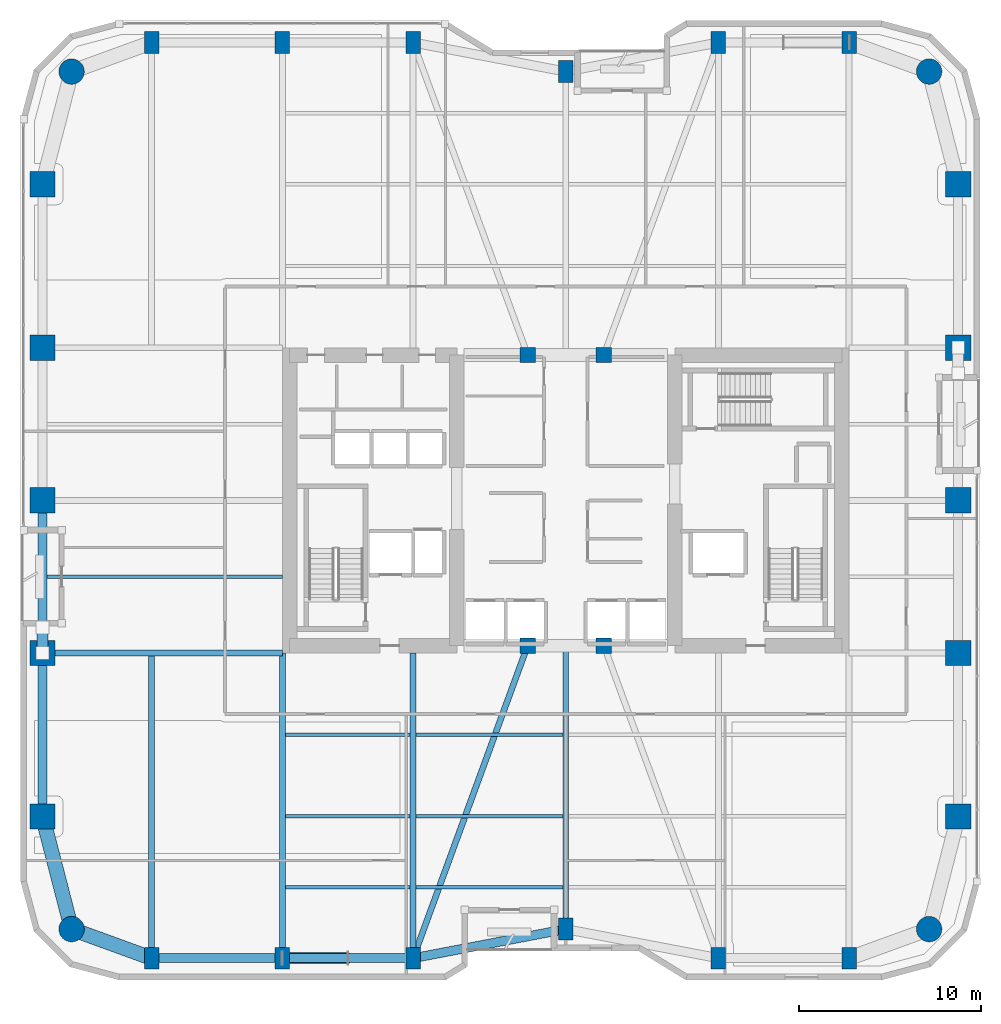
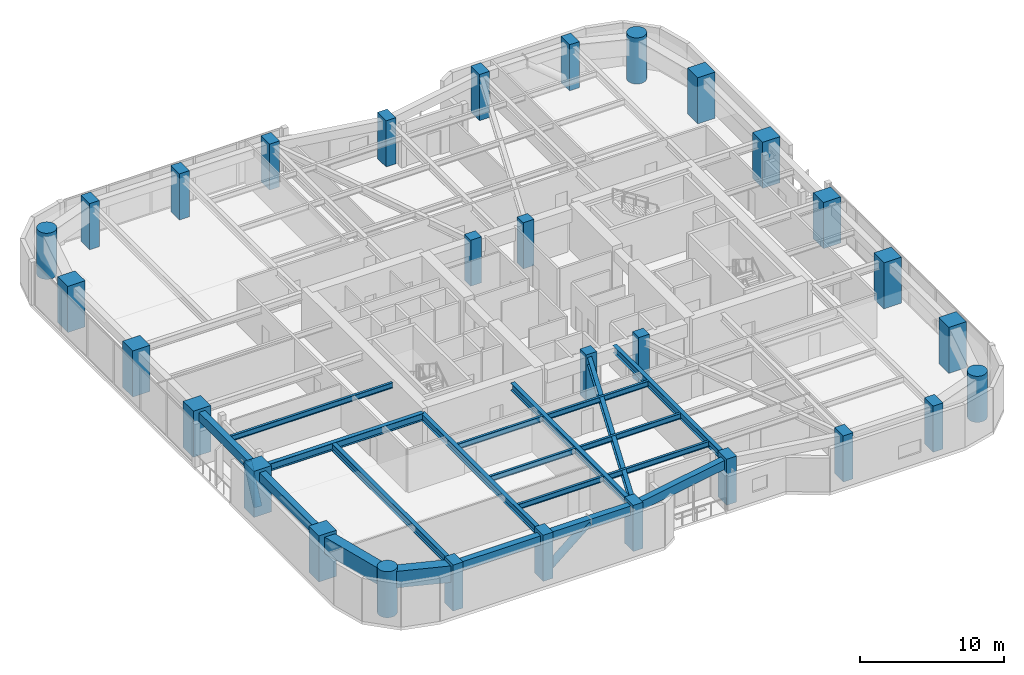
# One storey, part 1 of 24: 30 columns, 20 beams, 2 members.
"""IFC4 building model written with IfcOpenShell, lengths in metres."""

from ifc_helpers import new_model, si_unit, direction, frame, origin, origin_2d, place, context, subcontext, project, spatial, rectangle, circle, hollow_circle, i_section, extrude, material, material_profile, profile_set, type_object, element, save


model = new_model("IFC4")

# Units and contexts
model_context = context("Model", 3, precision=1e-05, world=origin(), true_north=direction((0.0, 1.0)))
body_context = subcontext(model_context, "Body", "Model", "MODEL_VIEW")
ifc_project = project(units=[si_unit("LENGTHUNIT", "METRE"), si_unit("AREAUNIT", "SQUARE_METRE"), si_unit("VOLUMEUNIT", "CUBIC_METRE"), si_unit("PLANEANGLEUNIT", "RADIAN"), si_unit("MASSUNIT", "GRAM", prefix="KILO")], contexts=[model_context])

# Site, building, storey
site_placement = place(None, origin())
site = spatial("IfcSite", under=ifc_project, at=site_placement, CompositionType="ELEMENT")
building_placement = place(site_placement, origin())
building = spatial("IfcBuilding", under=site, at=building_placement, Name="Kiyonajd Concourse Tower", CompositionType="ELEMENT")
storey_placement = place(building_placement, frame((0.0, 0.0, 93.60009765625)))
storey = spatial("IfcBuildingStorey", under=building, at=storey_placement, Name="L24", CompositionType="ELEMENT", Elevation=93.60009765625)

# Columns
ifc_material_1 = material(Name="Concrete C70/85", Category="concrete")
ifc_material_profile_1 = material_profile(ifc_material_1, rectangle(XDim=0.800048828125, YDim=1.199951171875, at=origin_2d()), Name="RC-1200x800")
ifc_profile_set_1 = profile_set([ifc_material_profile_1], Name="Concrete C70/85")
column_type_1 = type_object("IfcColumnType", Name="CL-BLADE-1200", PredefinedType="COLUMN", material=ifc_profile_set_1)
for number, where, z_axis, x_axis, name in (
    (1, (25.199951171875, 10.800048828125, 0.0), (0.0, 0.0, 1.0), (1.0, 0.0, 0.0), "L24 Perimeter Bundled Tube Column"),
    (2, (25.199951171875, 61.199951171875, 0.0), (0.0, 0.0, 1.0), (1.0, 0.0, 0.0), "L24 Perimeter Bundled Tube Column"),
    (3, (32.39990234375, 10.800048828125, 0.0), (0.0, 0.0, 1.0), (1.0, 0.0, 0.0), "L24 Perimeter Bundled Tube Column"),
    (4, (32.39990234375, 61.199951171875, 0.0), (0.0, 0.0, 1.0), (1.0, 0.0, 0.0), "L24 Perimeter Bundled Tube Column"),
    (5, (39.60009765625, 10.800048828125, 0.0), (0.0, 0.0, 1.0), (1.0, 0.0, 0.0), "L24 Perimeter Bundled Tube Column"),
    (6, (39.60009765625, 61.199951171875, 0.0), (0.0, 0.0, 1.0), (1.0, 0.0, 0.0), "L24 Perimeter Bundled Tube Column"),
    (7, (48.0, 12.39990234375, 0.0), (0.0, 0.0, 1.0), (1.0, 0.0, 0.0), "L24 Perimeter Bundled Tube Column"),
    (8, (48.0, 59.60009765625, 0.0), (0.0, 0.0, 1.0), (1.0, 0.0, 0.0), "L24 Perimeter Bundled Tube Column"),
    (9, (56.39990234375, 10.800048828125, 0.0), (0.0, 0.0, 1.0), (1.0, 0.0, 0.0), "L24 Perimeter Bundled Tube Column"),
    (10, (56.39990234375, 61.199951171875, 0.0), (0.0, 0.0, 1.0), (1.0, 0.0, 0.0), "L24 Perimeter Bundled Tube Column"),
    (11, (63.60009765625, 10.800048828125, 0.0), (0.0, 0.0, 1.0), (1.0, 0.0, 0.0), "L24 Perimeter Bundled Tube Column"),
    (12, (63.60009765625, 61.199951171875, 0.0), (0.0, 0.0, 1.0), (1.0, 0.0, 0.0), "L24 Perimeter Bundled Tube Column"),
):
    element("IfcColumn", number, at=place(storey_placement, frame(where, z_axis=z_axis, x_axis=x_axis)), inside=storey, type_object=column_type_1, Name=name, PredefinedType="COLUMN", context=body_context, shape_type="SweptSolid", body=[
        extrude(rectangle(XDim=0.800048828125, YDim=1.199951171875, at=origin_2d()), origin(), (0.0, 0.0, 1.0), 3.89990234375),
    ])
ifc_material_2 = material(Name="Concrete C80/95", Category="concrete")
ifc_material_profile_2 = material_profile(ifc_material_2, circle(Radius=0.699951171875, at=origin_2d()), Name="RCC-D1400")
ifc_profile_set_2 = profile_set([ifc_material_profile_2], Name="Concrete C80/95")
column_type_2 = type_object("IfcColumnType", Name="CL-RND-1400", PredefinedType="COLUMN", material=ifc_profile_set_2)
for number, where, z_axis, x_axis, name in (
    (13, (20.800048828125, 12.39990234375, 0.0), (0.0, 0.0, 1.0), (1.0, 0.0, 0.0), "L24 Bundled Tube Corner Column South West"),
    (14, (68.0, 12.39990234375, 0.0), (0.0, 0.0, 1.0), (1.0, 0.0, 0.0), "L24 Bundled Tube Corner Column South East"),
    (15, (68.0, 59.60009765625, 0.0), (0.0, 0.0, 1.0), (1.0, 0.0, 0.0), "L24 Bundled Tube Corner Column North East"),
    (16, (20.800048828125, 59.60009765625, 0.0), (0.0, 0.0, 1.0), (1.0, 0.0, 0.0), "L24 Bundled Tube Corner Column North West"),
):
    element("IfcColumn", number, at=place(storey_placement, frame(where, z_axis=z_axis, x_axis=x_axis)), inside=storey, type_object=column_type_2, Name=name, PredefinedType="COLUMN", context=body_context, shape_type="SweptSolid", body=[
        extrude(circle(Radius=0.699951171875, at=origin_2d()), origin(), (0.0, 0.0, 1.0), 3.89990234375),
    ])
ifc_material_profile_3 = material_profile(ifc_material_1, rectangle(XDim=1.39990234375, YDim=1.39990234375, at=origin_2d()), Name="RC-1400x1400")
ifc_profile_set_3 = profile_set([ifc_material_profile_3], Name="Concrete C70/85")
column_type_3 = type_object("IfcColumnType", Name="CL-TUBE-1400", PredefinedType="COLUMN", material=ifc_profile_set_3)
for number, where, z_axis, x_axis, name in (
    (17, (19.199951171875, 18.60009765625, 0.0), (0.0, 0.0, 1.0), (1.0, 0.0, 0.0), "L24 Perimeter Bundled Tube Column"),
    (18, (69.60009765625, 18.60009765625, 0.0), (0.0, 0.0, 1.0), (1.0, 0.0, 0.0), "L24 Perimeter Bundled Tube Column"),
    (19, (19.199951171875, 27.60009765625, 0.0), (0.0, 0.0, 1.0), (1.0, 0.0, 0.0), "L24 Perimeter Bundled Tube Column"),
    (20, (69.60009765625, 27.60009765625, 0.0), (0.0, 0.0, 1.0), (1.0, 0.0, 0.0), "L24 Perimeter Bundled Tube Column"),
    (21, (19.199951171875, 36.0, 0.0), (0.0, 0.0, 1.0), (1.0, 0.0, 0.0), "L24 Perimeter Bundled Tube Column"),
    (22, (69.60009765625, 36.0, 0.0), (0.0, 0.0, 1.0), (1.0, 0.0, 0.0), "L24 Perimeter Bundled Tube Column"),
    (23, (19.199951171875, 44.39990234375, 0.0), (0.0, 0.0, 1.0), (1.0, 0.0, 0.0), "L24 Perimeter Bundled Tube Column"),
    (24, (69.60009765625, 44.39990234375, 0.0), (0.0, 0.0, 1.0), (1.0, 0.0, 0.0), "L24 Perimeter Bundled Tube Column"),
    (25, (19.199951171875, 53.39990234375, 0.0), (0.0, 0.0, 1.0), (1.0, 0.0, 0.0), "L24 Perimeter Bundled Tube Column"),
    (26, (69.60009765625, 53.39990234375, 0.0), (0.0, 0.0, 1.0), (1.0, 0.0, 0.0), "L24 Perimeter Bundled Tube Column"),
):
    element("IfcColumn", number, at=place(storey_placement, frame(where, z_axis=z_axis, x_axis=x_axis)), inside=storey, type_object=column_type_3, Name=name, PredefinedType="COLUMN", context=body_context, shape_type="SweptSolid", body=[
        extrude(rectangle(XDim=1.39990234375, YDim=1.39990234375, at=origin_2d()), origin(), (0.0, 0.0, 1.0), 3.89990234375),
    ])
ifc_material_3 = material(Name="Concrete C60/75", Category="concrete")
ifc_material_profile_4 = material_profile(ifc_material_3, rectangle(XDim=0.85009765625, YDim=0.85009765625, at=origin_2d()), Name="RC-850x850")
ifc_profile_set_4 = profile_set([ifc_material_profile_4], Name="Concrete C60/75")
column_type_4 = type_object("IfcColumnType", Name="CL-TUBE-850", PredefinedType="COLUMN", material=ifc_profile_set_4)
for number, where, z_axis, x_axis, name in (
    (27, (45.89990234375, 28.0, 0.0), (0.0, 0.0, 1.0), (1.0, 0.0, 0.0), "L24 Core Tie Column South West"),
    (28, (50.10009765625, 28.0, 0.0), (0.0, 0.0, 1.0), (1.0, 0.0, 0.0), "L24 Core Tie Column South East"),
    (29, (45.89990234375, 44.0, 0.0), (0.0, 0.0, 1.0), (1.0, 0.0, 0.0), "L24 Core Tie Column North West"),
    (30, (50.10009765625, 44.0, 0.0), (0.0, 0.0, 1.0), (1.0, 0.0, 0.0), "L24 Core Tie Column North East"),
):
    element("IfcColumn", number, at=place(storey_placement, frame(where, z_axis=z_axis, x_axis=x_axis)), inside=storey, type_object=column_type_4, Name=name, PredefinedType="COLUMN", context=body_context, shape_type="SweptSolid", body=[
        extrude(rectangle(XDim=0.85009765625, YDim=0.85009765625, at=origin_2d()), origin(), (0.0, 0.0, 1.0), 3.89990234375),
    ])

# Beams
ifc_material_4 = material(Name="Steel ASTM A992 Grade 50", Category="steel")
ifc_material_profile_5 = material_profile(ifc_material_4, i_section(OverallWidth=0.19189453125, OverallDepth=0.462890625, WebThickness=0.010498046875, FlangeThickness=0.017578125, at=origin_2d()), Name="W460X89")
ifc_profile_set_5 = profile_set([ifc_material_profile_5], Name="Steel ASTM A992 Grade 50")
beam_type_1 = type_object("IfcBeamType", Name="BM-JST-460B", PredefinedType="JOIST", material=ifc_profile_set_5)
beam_1_placement = place(storey_placement, frame((32.5634765625, 14.699951171875, 3.408447265625), z_axis=(1.0, 0.0, 0.0), x_axis=(0.0, 1.0, 0.0)))
element("IfcBeam", 31, at=beam_1_placement, inside=storey, type_object=beam_type_1, Name="L24 Secondary Floor Joist", PredefinedType="JOIST", context=body_context, shape_type="SweptSolid", body=[
    extrude(i_section(OverallWidth=0.19189453125, OverallDepth=0.462890625, WebThickness=0.010498046875, FlangeThickness=0.017578125, at=origin_2d()), origin(), (0.0, 0.0, 1.0), 6.873046875),
])
beam_2_placement = place(storey_placement, frame((39.763427734375, 14.699951171875, 3.408447265625), z_axis=(1.0, 0.0, 0.0), x_axis=(0.0, 1.0, 0.0)))
element("IfcBeam", 32, at=beam_2_placement, inside=storey, type_object=beam_type_1, Name="L24 Secondary Floor Joist", PredefinedType="JOIST", context=body_context, shape_type="SweptSolid", body=[
    extrude(i_section(OverallWidth=0.19189453125, OverallDepth=0.462890625, WebThickness=0.010498046875, FlangeThickness=0.017578125, at=origin_2d()), origin(), (0.0, 0.0, 1.0), 8.072998046875),
])
beam_3_placement = place(storey_placement, frame((32.5634765625, 18.60009765625, 3.408447265625), z_axis=(1.0, 0.0, 0.0), x_axis=(0.0, 1.0, 0.0)))
element("IfcBeam", 33, at=beam_3_placement, inside=storey, type_object=beam_type_1, Name="L24 Secondary Floor Joist", PredefinedType="JOIST", context=body_context, shape_type="SweptSolid", body=[
    extrude(i_section(OverallWidth=0.19189453125, OverallDepth=0.462890625, WebThickness=0.010498046875, FlangeThickness=0.017578125, at=origin_2d()), origin(), (0.0, 0.0, 1.0), 6.873046875),
])
beam_4_placement = place(storey_placement, frame((39.763427734375, 18.60009765625, 3.408447265625), z_axis=(1.0, 0.0, 0.0), x_axis=(0.0, 1.0, 0.0)))
element("IfcBeam", 34, at=beam_4_placement, inside=storey, type_object=beam_type_1, Name="L24 Secondary Floor Joist", PredefinedType="JOIST", context=body_context, shape_type="SweptSolid", body=[
    extrude(i_section(OverallWidth=0.19189453125, OverallDepth=0.462890625, WebThickness=0.010498046875, FlangeThickness=0.017578125, at=origin_2d()), origin(), (0.0, 0.0, 1.0), 8.072998046875),
])
beam_5_placement = place(storey_placement, frame((32.5634765625, 23.10009765625, 3.408447265625), z_axis=(1.0, 0.0, 0.0), x_axis=(0.0, 1.0, 0.0)))
element("IfcBeam", 35, at=beam_5_placement, inside=storey, type_object=beam_type_1, Name="L24 Secondary Floor Joist", PredefinedType="JOIST", context=body_context, shape_type="SweptSolid", body=[
    extrude(i_section(OverallWidth=0.19189453125, OverallDepth=0.462890625, WebThickness=0.010498046875, FlangeThickness=0.017578125, at=origin_2d()), origin(), (0.0, 0.0, 1.0), 6.873046875),
])
beam_6_placement = place(storey_placement, frame((39.763427734375, 23.10009765625, 3.408447265625), z_axis=(1.0, 0.0, 0.0), x_axis=(0.0, 1.0, 0.0)))
element("IfcBeam", 36, at=beam_6_placement, inside=storey, type_object=beam_type_1, Name="L24 Secondary Floor Joist", PredefinedType="JOIST", context=body_context, shape_type="SweptSolid", body=[
    extrude(i_section(OverallWidth=0.19189453125, OverallDepth=0.462890625, WebThickness=0.010498046875, FlangeThickness=0.017578125, at=origin_2d()), origin(), (0.0, 0.0, 1.0), 8.072998046875),
])
beam_7_placement = place(storey_placement, frame((19.449951171875, 31.800048828125, 3.408447265625), z_axis=(1.0, 0.0, 0.0), x_axis=(0.0, 1.0, 0.0)))
element("IfcBeam", 37, at=beam_7_placement, inside=storey, type_object=beam_type_1, Name="L24 West Secondary Floor Joist", PredefinedType="JOIST", context=body_context, shape_type="SweptSolid", body=[
    extrude(i_section(OverallWidth=0.19189453125, OverallDepth=0.462890625, WebThickness=0.010498046875, FlangeThickness=0.017578125, at=origin_2d()), origin(), (0.0, 0.0, 1.0), 12.949951171875),
])
ifc_material_5 = material(Name="Precast concrete C50/60", Category="concrete")
ifc_material_profile_6 = material_profile(ifc_material_5, rectangle(XDim=0.5, YDim=0.75, at=origin_2d()), Name="RCBM-500x750")
ifc_profile_set_6 = profile_set([ifc_material_profile_6], Name="Precast concrete C50/60")
beam_type_2 = type_object("IfcBeamType", Name="BM-SPAN-RC", PredefinedType="SPANDREL", material=ifc_profile_set_6)
beam_8_placement = place(storey_placement, frame((19.199951171875, 27.60009765625, 3.264892578125), z_axis=(0.0, -1.0, 0.0), x_axis=(1.0, 0.0, 0.0)))
element("IfcBeam", 38, at=beam_8_placement, inside=storey, type_object=beam_type_2, Name="L24 Perimeter Bundled Tube Spandrel", PredefinedType="SPANDREL", context=body_context, shape_type="SweptSolid", body=[
    extrude(rectangle(XDim=0.5, YDim=0.75, at=origin_2d()), origin(), (0.0, 0.0, 1.0), 9.0),
])
beam_9_placement = place(storey_placement, frame((25.199951171875, 10.800048828125, 3.264892578125), z_axis=(1.0, 0.0, 0.0), x_axis=(0.0, 1.0, 0.0)))
element("IfcBeam", 39, at=beam_9_placement, inside=storey, type_object=beam_type_2, Name="L24 Perimeter Bundled Tube Spandrel", PredefinedType="SPANDREL", context=body_context, shape_type="SweptSolid", body=[
    extrude(rectangle(XDim=0.5, YDim=0.75, at=origin_2d()), origin(), (0.0, 0.0, 1.0), 7.199951171875),
])
beam_10_placement = place(storey_placement, frame((32.39990234375, 10.800048828125, 3.264892578125), z_axis=(1.0, 0.0, 0.0), x_axis=(0.0, 1.0, 0.0)))
element("IfcBeam", 40, at=beam_10_placement, inside=storey, type_object=beam_type_2, Name="L24 Perimeter Bundled Tube Spandrel", PredefinedType="SPANDREL", context=body_context, shape_type="SweptSolid", body=[
    extrude(rectangle(XDim=0.5, YDim=0.75, at=origin_2d()), origin(), (0.0, 0.0, 1.0), 7.2001953125),
])
beam_11_placement = place(storey_placement, frame((39.60009765625, 10.800048828125, 3.264892578125), z_axis=(0.982341315253, 0.187097675953, 0.0), x_axis=(-0.187097675953, 0.982341315253, 0.0)))
element("IfcBeam", 41, at=beam_11_placement, inside=storey, type_object=beam_type_2, Name="L24 Perimeter Bundled Tube Spandrel", PredefinedType="SPANDREL", context=body_context, shape_type="SweptSolid", body=[
    extrude(rectangle(XDim=0.5, YDim=0.75, at=origin_2d()), origin(), (0.0, 0.0, 1.0), 8.55078125),
])
beam_12_placement = place(storey_placement, frame((19.199951171875, 36.0, 3.264892578125), z_axis=(0.0, -1.0, 0.0), x_axis=(1.0, 0.0, 0.0)))
element("IfcBeam", 42, at=beam_12_placement, inside=storey, type_object=beam_type_2, Name="L24 Perimeter Bundled Tube Spandrel", PredefinedType="SPANDREL", context=body_context, shape_type="SweptSolid", body=[
    extrude(rectangle(XDim=0.5, YDim=0.75, at=origin_2d()), origin(), (0.0, 0.0, 1.0), 8.39990234375),
])
ifc_material_profile_7 = material_profile(ifc_material_4, i_section(OverallWidth=0.326904296875, OverallDepth=0.6220703125, WebThickness=0.015380859375, FlangeThickness=0.0244140625, at=origin_2d()), Name="W610X195")
ifc_profile_set_7 = profile_set([ifc_material_profile_7], Name="Steel ASTM A992 Grade 50")
beam_type_3 = type_object("IfcBeamType", Name="BM-TWR-610A", PredefinedType="BEAM", material=ifc_profile_set_7)
beam_13_placement = place(storey_placement, frame((39.60009765625, 10.800048828125, 3.328857421875), z_axis=(0.343925269715, 0.938997022813, 0.0), x_axis=(-0.938997022813, 0.343925269715, 0.0)))
element("IfcBeam", 43, at=beam_13_placement, inside=storey, type_object=beam_type_3, Name="L24 Core Tie Girder", PredefinedType="BEAM", context=body_context, shape_type="SweptSolid", body=[
    extrude(i_section(OverallWidth=0.326904296875, OverallDepth=0.6220703125, WebThickness=0.015380859375, FlangeThickness=0.0244140625, at=origin_2d()), origin(), (0.0, 0.0, 1.0), 18.3173828125),
])
for number, where, z_axis, x_axis, name in (
    (44, (25.199951171875, 10.800048828125, 3.328857421875), (0.0, 1.0, 0.0), (-1.0, 0.0, 0.0), "L24 South Lease Girder"),
    (45, (32.39990234375, 10.800048828125, 3.328857421875), (0.0, 1.0, 0.0), (-1.0, 0.0, 0.0), "L24 South Lease Girder"),
    (46, (39.60009765625, 10.800048828125, 3.328857421875), (0.0, 1.0, 0.0), (-1.0, 0.0, 0.0), "L24 South Lease Girder"),
):
    element("IfcBeam", number, at=place(storey_placement, frame(where, z_axis=z_axis, x_axis=x_axis)), inside=storey, type_object=beam_type_3, Name=name, PredefinedType="BEAM", context=body_context, shape_type="SweptSolid", body=[
        extrude(i_section(OverallWidth=0.326904296875, OverallDepth=0.6220703125, WebThickness=0.015380859375, FlangeThickness=0.0244140625, at=origin_2d()), origin(), (0.0, 0.0, 1.0), 16.800048828125),
    ])
beam_14_placement = place(storey_placement, frame((48.0, 12.39990234375, 3.328857421875), z_axis=(0.0, 1.0, 0.0), x_axis=(-1.0, 0.0, 0.0)))
element("IfcBeam", 47, at=beam_14_placement, inside=storey, type_object=beam_type_3, Name="L24 South Ribbon Girder", PredefinedType="BEAM", context=body_context, shape_type="SweptSolid", body=[
    extrude(i_section(OverallWidth=0.326904296875, OverallDepth=0.6220703125, WebThickness=0.015380859375, FlangeThickness=0.0244140625, at=origin_2d()), origin(), (0.0, 0.0, 1.0), 15.60009765625),
])
beam_15_placement = place(storey_placement, frame((19.199951171875, 27.60009765625, 3.328857421875), z_axis=(1.0, 0.0, 0.0), x_axis=(0.0, 1.0, 0.0)))
element("IfcBeam", 48, at=beam_15_placement, inside=storey, type_object=beam_type_3, Name="L24 West Lease Girder", PredefinedType="BEAM", context=body_context, shape_type="SweptSolid", body=[
    extrude(i_section(OverallWidth=0.326904296875, OverallDepth=0.6220703125, WebThickness=0.015380859375, FlangeThickness=0.0244140625, at=origin_2d()), origin(), (0.0, 0.0, 1.0), 13.199951171875),
])
ifc_material_profile_8 = material_profile(ifc_material_3, rectangle(XDim=0.800048828125, YDim=1.39990234375, at=origin_2d()), Name="RCBM-800x1400")
ifc_profile_set_8 = profile_set([ifc_material_profile_8], Name="Concrete C60/75")
beam_type_4 = type_object("IfcBeamType", Name="BM-XFER-RC", PredefinedType="BEAM", material=ifc_profile_set_8)
beam_16_placement = place(storey_placement, frame((19.199951171875, 18.60009765625, 2.93994140625), z_axis=(0.249884937687, -0.968275538221, 0.0), x_axis=(0.968275538221, 0.249884937687, 0.0)))
element("IfcBeam", 49, at=beam_16_placement, inside=storey, type_object=beam_type_4, Name="L24 Perimeter Bundled Tube Spandrel", PredefinedType="BEAM", context=body_context, shape_type="SweptSolid", body=[
    extrude(rectangle(XDim=0.800048828125, YDim=1.39990234375, at=origin_2d()), origin(), (0.0, 0.0, 1.0), 6.4033203125),
])
beam_17_placement = place(storey_placement, frame((20.800048828125, 12.39990234375, 2.93994140625), z_axis=(0.939801036019, -0.341722127901, 0.0), x_axis=(0.341722127901, 0.939801036019, 0.0)))
element("IfcBeam", 50, at=beam_17_placement, inside=storey, type_object=beam_type_4, Name="L24 Perimeter Bundled Tube Spandrel", PredefinedType="BEAM", context=body_context, shape_type="SweptSolid", body=[
    extrude(rectangle(XDim=0.800048828125, YDim=1.39990234375, at=origin_2d()), origin(), (0.0, 0.0, 1.0), 4.681640625),
])

# Members
ifc_material_6 = material(Name="Steel ASTM A572 Grade 50", Category="steel")
ifc_material_profile_9 = material_profile(ifc_material_6, hollow_circle(Radius=0.304931640625, WallThickness=0.02490234375, at=origin_2d()), Name="CHS-610x25")
ifc_profile_set_9 = profile_set([ifc_material_profile_9], Name="Steel ASTM A572 Grade 50")
member_type = type_object("IfcMemberType", Name="MB-PB-LOW", PredefinedType="BRACE", material=ifc_profile_set_9)
member_1_placement = place(storey_placement, frame((32.39990234375, 10.800048828125, 0.2998046875), z_axis=(0.769280705518, 0.0, 0.638910945373), x_axis=(0.0, 1.0, 0.0)))
element("IfcMember", 51, at=member_1_placement, inside=storey, type_object=member_type, Name="L24 Lower Zone Welded Tube Brace PBS", PredefinedType="BRACE", context=body_context, shape_type="SweptSolid", body=[
    extrude(hollow_circle(Radius=0.304931640625, WallThickness=0.02490234375, at=origin_2d()), origin(), (0.0, 0.0, 1.0), 4.679931640625),
])
member_2_placement = place(storey_placement, frame((19.199951171875, 27.60009765625, 0.2998046875), z_axis=(0.0, 0.424022702926, 0.905651559598), x_axis=(-1.0, 0.0, 0.0)))
element("IfcMember", 52, at=member_2_placement, inside=storey, type_object=member_type, Name="L24 Lower Zone Welded Tube Brace PBW", PredefinedType="BRACE", context=body_context, shape_type="SweptSolid", body=[
    extrude(hollow_circle(Radius=0.304931640625, WallThickness=0.02490234375, at=origin_2d()), origin(), (0.0, 0.0, 1.0), 3.301513671875),
])

save(model, "model.ifc")
